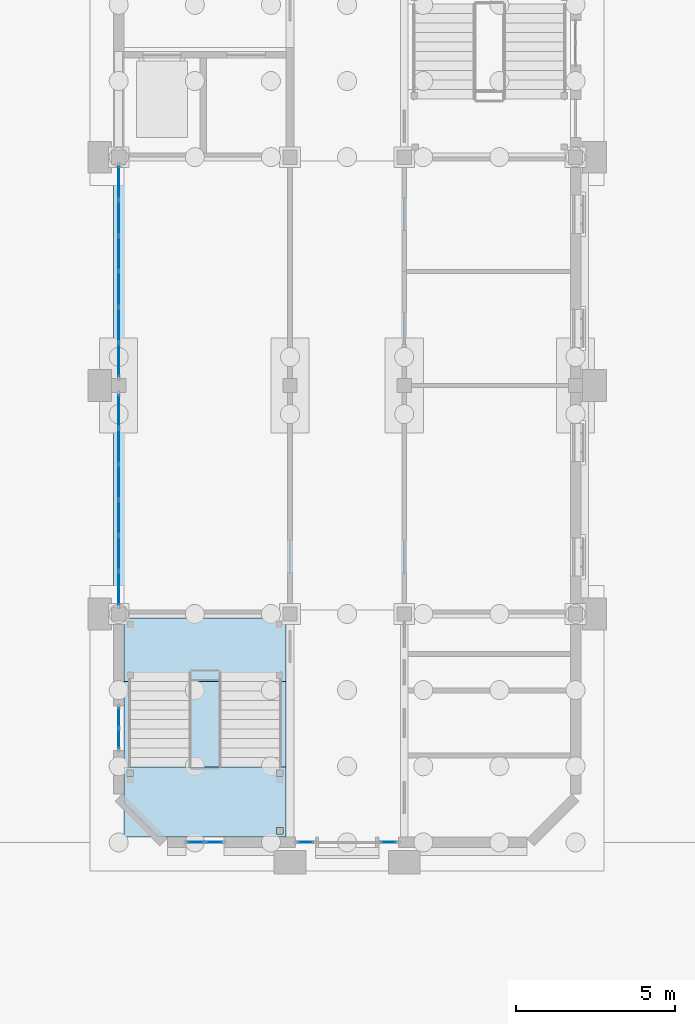
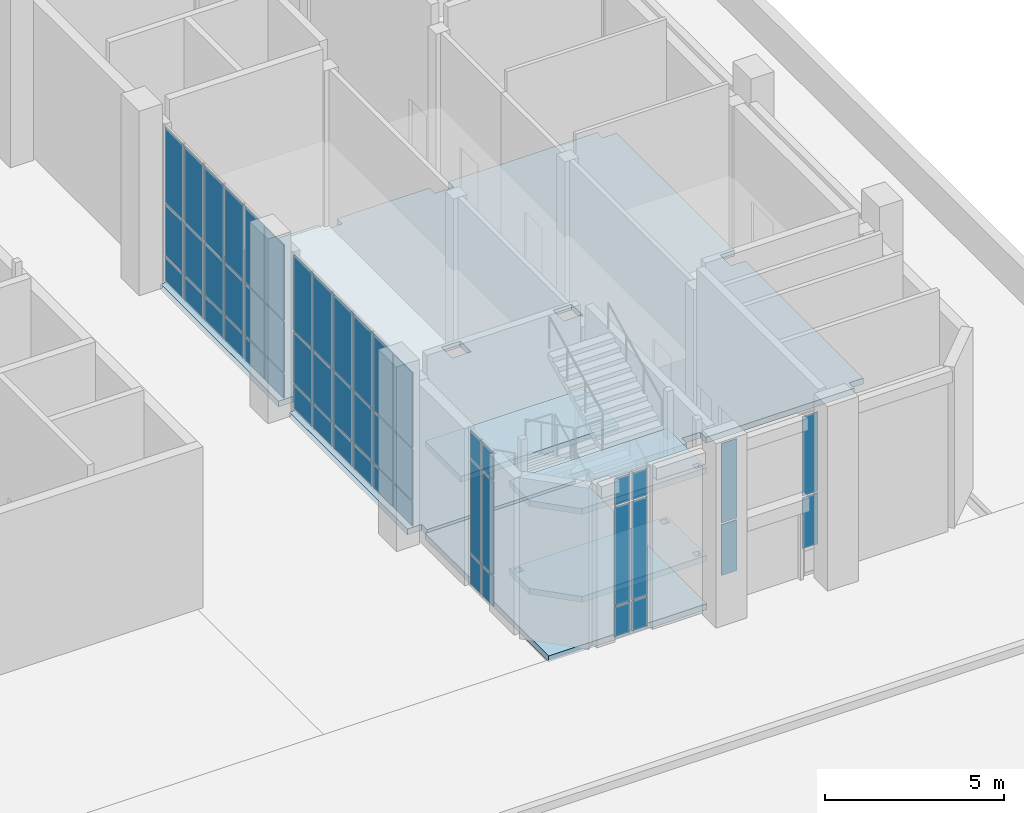
# One storey, part 27 of 84: 52 plates, 5 slabs, 7 elements without a shape of their own.
"""IFC4 building model written with IfcOpenShell, lengths in metres."""

from ifc_helpers import new_model, si_unit, direction, frame, origin, origin_2d, place, context, subcontext, project, spatial, polyline, rectangle, outline, extrude, material, layer, layer_set, type_object, element, aggregate, save


model = new_model("IFC4")

# Units and contexts
model_context = context("Model", 3, precision=1e-05, world=origin(), true_north=direction((0.0, 1.0)))
body_context = subcontext(model_context, "Body", "Model", "MODEL_VIEW")
ifc_project = project(units=[si_unit("LENGTHUNIT", "METRE"), si_unit("AREAUNIT", "SQUARE_METRE"), si_unit("VOLUMEUNIT", "CUBIC_METRE"), si_unit("PLANEANGLEUNIT", "RADIAN"), si_unit("MASSUNIT", "GRAM", prefix="KILO")], contexts=[model_context])

# Site, building, storey
site_placement = place(None, origin())
site = spatial("IfcSite", under=ifc_project, at=site_placement, CompositionType="ELEMENT")
building_placement = place(site_placement, origin())
building = spatial("IfcBuilding", under=site, at=building_placement, Name="Mazhai Court Health Centre", CompositionType="ELEMENT")
storey_placement = place(building_placement, origin())
storey = spatial("IfcBuildingStorey", under=building, at=storey_placement, Name="L00", CompositionType="ELEMENT", Elevation=0.0)

# Curtain wall, plates
ifc_material_1 = material(Name="Teak timber frame, glazed", Category="wood")
ifc_layer_1 = layer(ifc_material_1, 0.10009765625)
ifc_layer_set_1 = layer_set([ifc_layer_1], Name="CURTAIN WALL TIMBER 600")
curtain_wall_type_1 = type_object("IfcCurtainWallType", Name="CURTAIN WALL TIMBER 600", PredefinedType="NOTDEFINED", material=ifc_layer_set_1)
curtain_wall_1_placement = place(storey_placement, origin())
curtain_wall_1 = element("IfcCurtainWall", 1, at=curtain_wall_1_placement, inside=storey, type_object=curtain_wall_type_1, Name="CW-V6-L00-A0", PredefinedType="NOTDEFINED")
ifc_material_2 = material(Name="Glass IGU 28 mm", Category="glass")
ifc_layer_2 = layer(ifc_material_2, 0.028076171875)
ifc_layer_set_2 = layer_set([ifc_layer_2], Name="CW PANEL IGU 28")
plate_type = type_object("IfcPlateType", Name="CW PANEL IGU 28", PredefinedType="CURTAIN_PANEL", material=ifc_layer_set_2)
plate_1_placement = place(storey_placement, frame((135.800048828125, 9.465087890625, 0.06005859375), z_axis=(0.0, 0.0, 1.0), x_axis=(0.0, 1.0, 0.0)))
plate_1 = element("IfcPlate", 2, at=plate_1_placement, type_object=plate_type, Name="CW panel 1.1", PredefinedType="CURTAIN_PANEL", context=body_context, shape_type="SweptSolid", body=[
    extrude(rectangle(XDim=0.610107421875, YDim=0.028076171875, at=origin_2d()), origin(), (0.0, 0.0, 1.0), 1.010009765625),
])
plate_2_placement = place(storey_placement, frame((135.800048828125, 9.465087890625, 1.130126953125), z_axis=(0.0, 0.0, 1.0), x_axis=(0.0, 1.0, 0.0)))
plate_2 = element("IfcPlate", 3, at=plate_2_placement, type_object=plate_type, Name="CW panel 1.2", PredefinedType="CURTAIN_PANEL", context=body_context, shape_type="SweptSolid", body=[
    extrude(rectangle(XDim=0.610107421875, YDim=0.028076171875, at=origin_2d()), origin(), (0.0, 0.0, 1.0), 3.18994140625),
])
plate_3_placement = place(storey_placement, frame((135.800048828125, 9.465087890625, 4.3798828125), z_axis=(0.0, 0.0, 1.0), x_axis=(0.0, 1.0, 0.0)))
plate_3 = element("IfcPlate", 4, at=plate_3_placement, type_object=plate_type, Name="CW panel 1.3", PredefinedType="CURTAIN_PANEL", context=body_context, shape_type="SweptSolid", body=[
    extrude(rectangle(XDim=0.610107421875, YDim=0.028076171875, at=origin_2d()), origin(), (0.0, 0.0, 1.0), 0.909912109375),
])
plate_4_placement = place(storey_placement, frame((135.800048828125, 10.135009765625, 0.06005859375), z_axis=(0.0, 0.0, 1.0), x_axis=(0.0, 1.0, 0.0)))
plate_4 = element("IfcPlate", 5, at=plate_4_placement, type_object=plate_type, Name="CW panel 2.1", PredefinedType="CURTAIN_PANEL", context=body_context, shape_type="SweptSolid", body=[
    extrude(rectangle(XDim=0.610107421875, YDim=0.028076171875, at=origin_2d()), origin(), (0.0, 0.0, 1.0), 1.010009765625),
])
plate_5_placement = place(storey_placement, frame((135.800048828125, 10.135009765625, 1.130126953125), z_axis=(0.0, 0.0, 1.0), x_axis=(0.0, 1.0, 0.0)))
plate_5 = element("IfcPlate", 6, at=plate_5_placement, type_object=plate_type, Name="CW panel 2.2", PredefinedType="CURTAIN_PANEL", context=body_context, shape_type="SweptSolid", body=[
    extrude(rectangle(XDim=0.610107421875, YDim=0.028076171875, at=origin_2d()), origin(), (0.0, 0.0, 1.0), 3.18994140625),
])
plate_6_placement = place(storey_placement, frame((135.800048828125, 10.135009765625, 4.3798828125), z_axis=(0.0, 0.0, 1.0), x_axis=(0.0, 1.0, 0.0)))
plate_6 = element("IfcPlate", 7, at=plate_6_placement, type_object=plate_type, Name="CW panel 2.3", PredefinedType="CURTAIN_PANEL", context=body_context, shape_type="SweptSolid", body=[
    extrude(rectangle(XDim=0.610107421875, YDim=0.028076171875, at=origin_2d()), origin(), (0.0, 0.0, 1.0), 0.909912109375),
])
aggregate(curtain_wall_1, [plate_1, plate_2, plate_3, plate_4, plate_5, plate_6])

ifc_material_3 = material(Name="Teak timber frame, glazed", Category="wood")
ifc_layer_3 = layer(ifc_material_3, 0.10009765625)
ifc_layer_set_3 = layer_set([ifc_layer_3], Name="CURTAIN WALL TIMBER 1200")
curtain_wall_type_2 = type_object("IfcCurtainWallType", Name="CURTAIN WALL TIMBER 1200", PredefinedType="NOTDEFINED", material=ifc_layer_set_3)
curtain_wall_2_placement = place(storey_placement, origin())
curtain_wall_2 = element("IfcCurtainWall", 8, at=curtain_wall_2_placement, inside=storey, type_object=curtain_wall_type_2, Name="CW-V6-L00-A1", PredefinedType="NOTDEFINED")
plate_7_placement = place(storey_placement, frame((135.800048828125, 14.202392578125, 0.06005859375), z_axis=(0.0, 0.0, 1.0), x_axis=(0.0, 1.0, 0.0)))
plate_7 = element("IfcPlate", 9, at=plate_7_placement, type_object=plate_type, Name="CW panel 1.1", PredefinedType="CURTAIN_PANEL", context=body_context, shape_type="SweptSolid", body=[
    extrude(rectangle(XDim=1.034912109375, YDim=0.028076171875, at=origin_2d()), origin(), (0.0, 0.0, 1.0), 0.81005859375),
])
plate_8_placement = place(storey_placement, frame((135.800048828125, 14.202392578125, 0.93017578125), z_axis=(0.0, 0.0, 1.0), x_axis=(0.0, 1.0, 0.0)))
plate_8 = element("IfcPlate", 10, at=plate_8_placement, type_object=plate_type, Name="CW panel 1.2", PredefinedType="CURTAIN_PANEL", context=body_context, shape_type="SweptSolid", body=[
    extrude(rectangle(XDim=1.034912109375, YDim=0.028076171875, at=origin_2d()), origin(), (0.0, 0.0, 1.0), 1.739990234375),
])
plate_9_placement = place(storey_placement, frame((135.800048828125, 14.202392578125, 2.72998046875), z_axis=(0.0, 0.0, 1.0), x_axis=(0.0, 1.0, 0.0)))
plate_9 = element("IfcPlate", 11, at=plate_9_placement, type_object=plate_type, Name="CW panel 1.3", PredefinedType="CURTAIN_PANEL", context=body_context, shape_type="SweptSolid", body=[
    extrude(rectangle(XDim=1.034912109375, YDim=0.028076171875, at=origin_2d()), origin(), (0.0, 0.0, 1.0), 2.56005859375),
])
plate_10_placement = place(storey_placement, frame((135.800048828125, 15.3125, 0.06005859375), z_axis=(0.0, 0.0, 1.0), x_axis=(0.0, 1.0, 0.0)))
plate_10 = element("IfcPlate", 12, at=plate_10_placement, type_object=plate_type, Name="CW panel 2.1", PredefinedType="CURTAIN_PANEL", context=body_context, shape_type="SweptSolid", body=[
    extrude(rectangle(XDim=1.06494140625, YDim=0.028076171875, at=origin_2d()), origin(), (0.0, 0.0, 1.0), 0.81005859375),
])
plate_11_placement = place(storey_placement, frame((135.800048828125, 15.3125, 0.93017578125), z_axis=(0.0, 0.0, 1.0), x_axis=(0.0, 1.0, 0.0)))
plate_11 = element("IfcPlate", 13, at=plate_11_placement, type_object=plate_type, Name="CW panel 2.2", PredefinedType="CURTAIN_PANEL", context=body_context, shape_type="SweptSolid", body=[
    extrude(rectangle(XDim=1.06494140625, YDim=0.028076171875, at=origin_2d()), origin(), (0.0, 0.0, 1.0), 1.739990234375),
])
plate_12_placement = place(storey_placement, frame((135.800048828125, 15.3125, 2.72998046875), z_axis=(0.0, 0.0, 1.0), x_axis=(0.0, 1.0, 0.0)))
plate_12 = element("IfcPlate", 14, at=plate_12_placement, type_object=plate_type, Name="CW panel 2.3", PredefinedType="CURTAIN_PANEL", context=body_context, shape_type="SweptSolid", body=[
    extrude(rectangle(XDim=1.06494140625, YDim=0.028076171875, at=origin_2d()), origin(), (0.0, 0.0, 1.0), 2.56005859375),
])
plate_13_placement = place(storey_placement, frame((135.800048828125, 16.4375, 0.06005859375), z_axis=(0.0, 0.0, 1.0), x_axis=(0.0, 1.0, 0.0)))
plate_13 = element("IfcPlate", 15, at=plate_13_placement, type_object=plate_type, Name="CW panel 3.1", PredefinedType="CURTAIN_PANEL", context=body_context, shape_type="SweptSolid", body=[
    extrude(rectangle(XDim=1.06494140625, YDim=0.028076171875, at=origin_2d()), origin(), (0.0, 0.0, 1.0), 0.81005859375),
])
plate_14_placement = place(storey_placement, frame((135.800048828125, 16.4375, 0.93017578125), z_axis=(0.0, 0.0, 1.0), x_axis=(0.0, 1.0, 0.0)))
plate_14 = element("IfcPlate", 16, at=plate_14_placement, type_object=plate_type, Name="CW panel 3.2", PredefinedType="CURTAIN_PANEL", context=body_context, shape_type="SweptSolid", body=[
    extrude(rectangle(XDim=1.06494140625, YDim=0.028076171875, at=origin_2d()), origin(), (0.0, 0.0, 1.0), 1.739990234375),
])
plate_15_placement = place(storey_placement, frame((135.800048828125, 16.4375, 2.72998046875), z_axis=(0.0, 0.0, 1.0), x_axis=(0.0, 1.0, 0.0)))
plate_15 = element("IfcPlate", 17, at=plate_15_placement, type_object=plate_type, Name="CW panel 3.3", PredefinedType="CURTAIN_PANEL", context=body_context, shape_type="SweptSolid", body=[
    extrude(rectangle(XDim=1.06494140625, YDim=0.028076171875, at=origin_2d()), origin(), (0.0, 0.0, 1.0), 2.56005859375),
])
plate_16_placement = place(storey_placement, frame((135.800048828125, 17.5625, 0.06005859375), z_axis=(0.0, 0.0, 1.0), x_axis=(0.0, 1.0, 0.0)))
plate_16 = element("IfcPlate", 18, at=plate_16_placement, type_object=plate_type, Name="CW panel 4.1", PredefinedType="CURTAIN_PANEL", context=body_context, shape_type="SweptSolid", body=[
    extrude(rectangle(XDim=1.06494140625, YDim=0.028076171875, at=origin_2d()), origin(), (0.0, 0.0, 1.0), 0.81005859375),
])
plate_17_placement = place(storey_placement, frame((135.800048828125, 17.5625, 0.93017578125), z_axis=(0.0, 0.0, 1.0), x_axis=(0.0, 1.0, 0.0)))
plate_17 = element("IfcPlate", 19, at=plate_17_placement, type_object=plate_type, Name="CW panel 4.2", PredefinedType="CURTAIN_PANEL", context=body_context, shape_type="SweptSolid", body=[
    extrude(rectangle(XDim=1.06494140625, YDim=0.028076171875, at=origin_2d()), origin(), (0.0, 0.0, 1.0), 1.739990234375),
])
plate_18_placement = place(storey_placement, frame((135.800048828125, 17.5625, 2.72998046875), z_axis=(0.0, 0.0, 1.0), x_axis=(0.0, 1.0, 0.0)))
plate_18 = element("IfcPlate", 20, at=plate_18_placement, type_object=plate_type, Name="CW panel 4.3", PredefinedType="CURTAIN_PANEL", context=body_context, shape_type="SweptSolid", body=[
    extrude(rectangle(XDim=1.06494140625, YDim=0.028076171875, at=origin_2d()), origin(), (0.0, 0.0, 1.0), 2.56005859375),
])
plate_19_placement = place(storey_placement, frame((135.800048828125, 18.6875, 0.06005859375), z_axis=(0.0, 0.0, 1.0), x_axis=(0.0, 1.0, 0.0)))
plate_19 = element("IfcPlate", 21, at=plate_19_placement, type_object=plate_type, Name="CW panel 5.1", PredefinedType="CURTAIN_PANEL", context=body_context, shape_type="SweptSolid", body=[
    extrude(rectangle(XDim=1.06494140625, YDim=0.028076171875, at=origin_2d()), origin(), (0.0, 0.0, 1.0), 0.81005859375),
])
plate_20_placement = place(storey_placement, frame((135.800048828125, 18.6875, 0.93017578125), z_axis=(0.0, 0.0, 1.0), x_axis=(0.0, 1.0, 0.0)))
plate_20 = element("IfcPlate", 22, at=plate_20_placement, type_object=plate_type, Name="CW panel 5.2", PredefinedType="CURTAIN_PANEL", context=body_context, shape_type="SweptSolid", body=[
    extrude(rectangle(XDim=1.06494140625, YDim=0.028076171875, at=origin_2d()), origin(), (0.0, 0.0, 1.0), 1.739990234375),
])
plate_21_placement = place(storey_placement, frame((135.800048828125, 18.6875, 2.72998046875), z_axis=(0.0, 0.0, 1.0), x_axis=(0.0, 1.0, 0.0)))
plate_21 = element("IfcPlate", 23, at=plate_21_placement, type_object=plate_type, Name="CW panel 5.3", PredefinedType="CURTAIN_PANEL", context=body_context, shape_type="SweptSolid", body=[
    extrude(rectangle(XDim=1.06494140625, YDim=0.028076171875, at=origin_2d()), origin(), (0.0, 0.0, 1.0), 2.56005859375),
])
plate_22_placement = place(storey_placement, frame((135.800048828125, 19.797607421875, 0.06005859375), z_axis=(0.0, 0.0, 1.0), x_axis=(0.0, 1.0, 0.0)))
plate_22 = element("IfcPlate", 24, at=plate_22_placement, type_object=plate_type, Name="CW panel 6.1", PredefinedType="CURTAIN_PANEL", context=body_context, shape_type="SweptSolid", body=[
    extrude(rectangle(XDim=1.034912109375, YDim=0.028076171875, at=origin_2d()), origin(), (0.0, 0.0, 1.0), 0.81005859375),
])
plate_23_placement = place(storey_placement, frame((135.800048828125, 19.797607421875, 0.93017578125), z_axis=(0.0, 0.0, 1.0), x_axis=(0.0, 1.0, 0.0)))
plate_23 = element("IfcPlate", 25, at=plate_23_placement, type_object=plate_type, Name="CW panel 6.2", PredefinedType="CURTAIN_PANEL", context=body_context, shape_type="SweptSolid", body=[
    extrude(rectangle(XDim=1.034912109375, YDim=0.028076171875, at=origin_2d()), origin(), (0.0, 0.0, 1.0), 1.739990234375),
])
plate_24_placement = place(storey_placement, frame((135.800048828125, 19.797607421875, 2.72998046875), z_axis=(0.0, 0.0, 1.0), x_axis=(0.0, 1.0, 0.0)))
plate_24 = element("IfcPlate", 26, at=plate_24_placement, type_object=plate_type, Name="CW panel 6.3", PredefinedType="CURTAIN_PANEL", context=body_context, shape_type="SweptSolid", body=[
    extrude(rectangle(XDim=1.034912109375, YDim=0.028076171875, at=origin_2d()), origin(), (0.0, 0.0, 1.0), 2.56005859375),
])
aggregate(curtain_wall_2, [plate_7, plate_8, plate_9, plate_10, plate_11, plate_12, plate_13, plate_14, plate_15, plate_16, plate_17, plate_18, plate_19, plate_20, plate_21, plate_22, plate_23, plate_24])

curtain_wall_3_placement = place(storey_placement, origin())
curtain_wall_3 = element("IfcCurtainWall", 27, at=curtain_wall_3_placement, inside=storey, type_object=curtain_wall_type_2, Name="CW-V6-L00-A2", PredefinedType="NOTDEFINED")
plate_25_placement = place(storey_placement, frame((135.800048828125, 21.402587890625, 0.06005859375), z_axis=(0.0, 0.0, 1.0), x_axis=(0.0, 1.0, 0.0)))
plate_25 = element("IfcPlate", 28, at=plate_25_placement, type_object=plate_type, Name="CW panel 1.1", PredefinedType="CURTAIN_PANEL", context=body_context, shape_type="SweptSolid", body=[
    extrude(rectangle(XDim=1.034912109375, YDim=0.028076171875, at=origin_2d()), origin(), (0.0, 0.0, 1.0), 0.81005859375),
])
plate_26_placement = place(storey_placement, frame((135.800048828125, 21.402587890625, 0.93017578125), z_axis=(0.0, 0.0, 1.0), x_axis=(0.0, 1.0, 0.0)))
plate_26 = element("IfcPlate", 29, at=plate_26_placement, type_object=plate_type, Name="CW panel 1.2", PredefinedType="CURTAIN_PANEL", context=body_context, shape_type="SweptSolid", body=[
    extrude(rectangle(XDim=1.034912109375, YDim=0.028076171875, at=origin_2d()), origin(), (0.0, 0.0, 1.0), 1.739990234375),
])
plate_27_placement = place(storey_placement, frame((135.800048828125, 21.402587890625, 2.72998046875), z_axis=(0.0, 0.0, 1.0), x_axis=(0.0, 1.0, 0.0)))
plate_27 = element("IfcPlate", 30, at=plate_27_placement, type_object=plate_type, Name="CW panel 1.3", PredefinedType="CURTAIN_PANEL", context=body_context, shape_type="SweptSolid", body=[
    extrude(rectangle(XDim=1.034912109375, YDim=0.028076171875, at=origin_2d()), origin(), (0.0, 0.0, 1.0), 2.56005859375),
])
plate_28_placement = place(storey_placement, frame((135.800048828125, 22.512451171875, 0.06005859375), z_axis=(0.0, 0.0, 1.0), x_axis=(0.0, 1.0, 0.0)))
plate_28 = element("IfcPlate", 31, at=plate_28_placement, type_object=plate_type, Name="CW panel 2.1", PredefinedType="CURTAIN_PANEL", context=body_context, shape_type="SweptSolid", body=[
    extrude(rectangle(XDim=1.06494140625, YDim=0.028076171875, at=origin_2d()), origin(), (0.0, 0.0, 1.0), 0.81005859375),
])
plate_29_placement = place(storey_placement, frame((135.800048828125, 22.512451171875, 0.93017578125), z_axis=(0.0, 0.0, 1.0), x_axis=(0.0, 1.0, 0.0)))
plate_29 = element("IfcPlate", 32, at=plate_29_placement, type_object=plate_type, Name="CW panel 2.2", PredefinedType="CURTAIN_PANEL", context=body_context, shape_type="SweptSolid", body=[
    extrude(rectangle(XDim=1.06494140625, YDim=0.028076171875, at=origin_2d()), origin(), (0.0, 0.0, 1.0), 1.739990234375),
])
plate_30_placement = place(storey_placement, frame((135.800048828125, 22.512451171875, 2.72998046875), z_axis=(0.0, 0.0, 1.0), x_axis=(0.0, 1.0, 0.0)))
plate_30 = element("IfcPlate", 33, at=plate_30_placement, type_object=plate_type, Name="CW panel 2.3", PredefinedType="CURTAIN_PANEL", context=body_context, shape_type="SweptSolid", body=[
    extrude(rectangle(XDim=1.06494140625, YDim=0.028076171875, at=origin_2d()), origin(), (0.0, 0.0, 1.0), 2.56005859375),
])
plate_31_placement = place(storey_placement, frame((135.800048828125, 23.637451171875, 0.06005859375), z_axis=(0.0, 0.0, 1.0), x_axis=(0.0, 1.0, 0.0)))
plate_31 = element("IfcPlate", 34, at=plate_31_placement, type_object=plate_type, Name="CW panel 3.1", PredefinedType="CURTAIN_PANEL", context=body_context, shape_type="SweptSolid", body=[
    extrude(rectangle(XDim=1.06494140625, YDim=0.028076171875, at=origin_2d()), origin(), (0.0, 0.0, 1.0), 0.81005859375),
])
plate_32_placement = place(storey_placement, frame((135.800048828125, 23.637451171875, 0.93017578125), z_axis=(0.0, 0.0, 1.0), x_axis=(0.0, 1.0, 0.0)))
plate_32 = element("IfcPlate", 35, at=plate_32_placement, type_object=plate_type, Name="CW panel 3.2", PredefinedType="CURTAIN_PANEL", context=body_context, shape_type="SweptSolid", body=[
    extrude(rectangle(XDim=1.06494140625, YDim=0.028076171875, at=origin_2d()), origin(), (0.0, 0.0, 1.0), 1.739990234375),
])
plate_33_placement = place(storey_placement, frame((135.800048828125, 23.637451171875, 2.72998046875), z_axis=(0.0, 0.0, 1.0), x_axis=(0.0, 1.0, 0.0)))
plate_33 = element("IfcPlate", 36, at=plate_33_placement, type_object=plate_type, Name="CW panel 3.3", PredefinedType="CURTAIN_PANEL", context=body_context, shape_type="SweptSolid", body=[
    extrude(rectangle(XDim=1.06494140625, YDim=0.028076171875, at=origin_2d()), origin(), (0.0, 0.0, 1.0), 2.56005859375),
])
plate_34_placement = place(storey_placement, frame((135.800048828125, 24.762451171875, 0.06005859375), z_axis=(0.0, 0.0, 1.0), x_axis=(0.0, 1.0, 0.0)))
plate_34 = element("IfcPlate", 37, at=plate_34_placement, type_object=plate_type, Name="CW panel 4.1", PredefinedType="CURTAIN_PANEL", context=body_context, shape_type="SweptSolid", body=[
    extrude(rectangle(XDim=1.06494140625, YDim=0.028076171875, at=origin_2d()), origin(), (0.0, 0.0, 1.0), 0.81005859375),
])
plate_35_placement = place(storey_placement, frame((135.800048828125, 24.762451171875, 0.93017578125), z_axis=(0.0, 0.0, 1.0), x_axis=(0.0, 1.0, 0.0)))
plate_35 = element("IfcPlate", 38, at=plate_35_placement, type_object=plate_type, Name="CW panel 4.2", PredefinedType="CURTAIN_PANEL", context=body_context, shape_type="SweptSolid", body=[
    extrude(rectangle(XDim=1.06494140625, YDim=0.028076171875, at=origin_2d()), origin(), (0.0, 0.0, 1.0), 1.739990234375),
])
plate_36_placement = place(storey_placement, frame((135.800048828125, 24.762451171875, 2.72998046875), z_axis=(0.0, 0.0, 1.0), x_axis=(0.0, 1.0, 0.0)))
plate_36 = element("IfcPlate", 39, at=plate_36_placement, type_object=plate_type, Name="CW panel 4.3", PredefinedType="CURTAIN_PANEL", context=body_context, shape_type="SweptSolid", body=[
    extrude(rectangle(XDim=1.06494140625, YDim=0.028076171875, at=origin_2d()), origin(), (0.0, 0.0, 1.0), 2.56005859375),
])
plate_37_placement = place(storey_placement, frame((135.800048828125, 25.887451171875, 0.06005859375), z_axis=(0.0, 0.0, 1.0), x_axis=(0.0, 1.0, 0.0)))
plate_37 = element("IfcPlate", 40, at=plate_37_placement, type_object=plate_type, Name="CW panel 5.1", PredefinedType="CURTAIN_PANEL", context=body_context, shape_type="SweptSolid", body=[
    extrude(rectangle(XDim=1.06494140625, YDim=0.028076171875, at=origin_2d()), origin(), (0.0, 0.0, 1.0), 0.81005859375),
])
plate_38_placement = place(storey_placement, frame((135.800048828125, 25.887451171875, 0.93017578125), z_axis=(0.0, 0.0, 1.0), x_axis=(0.0, 1.0, 0.0)))
plate_38 = element("IfcPlate", 41, at=plate_38_placement, type_object=plate_type, Name="CW panel 5.2", PredefinedType="CURTAIN_PANEL", context=body_context, shape_type="SweptSolid", body=[
    extrude(rectangle(XDim=1.06494140625, YDim=0.028076171875, at=origin_2d()), origin(), (0.0, 0.0, 1.0), 1.739990234375),
])
plate_39_placement = place(storey_placement, frame((135.800048828125, 25.887451171875, 2.72998046875), z_axis=(0.0, 0.0, 1.0), x_axis=(0.0, 1.0, 0.0)))
plate_39 = element("IfcPlate", 42, at=plate_39_placement, type_object=plate_type, Name="CW panel 5.3", PredefinedType="CURTAIN_PANEL", context=body_context, shape_type="SweptSolid", body=[
    extrude(rectangle(XDim=1.06494140625, YDim=0.028076171875, at=origin_2d()), origin(), (0.0, 0.0, 1.0), 2.56005859375),
])
plate_40_placement = place(storey_placement, frame((135.800048828125, 26.99755859375, 0.06005859375), z_axis=(0.0, 0.0, 1.0), x_axis=(0.0, 1.0, 0.0)))
plate_40 = element("IfcPlate", 43, at=plate_40_placement, type_object=plate_type, Name="CW panel 6.1", PredefinedType="CURTAIN_PANEL", context=body_context, shape_type="SweptSolid", body=[
    extrude(rectangle(XDim=1.034912109375, YDim=0.028076171875, at=origin_2d()), origin(), (0.0, 0.0, 1.0), 0.81005859375),
])
plate_41_placement = place(storey_placement, frame((135.800048828125, 26.99755859375, 0.93017578125), z_axis=(0.0, 0.0, 1.0), x_axis=(0.0, 1.0, 0.0)))
plate_41 = element("IfcPlate", 44, at=plate_41_placement, type_object=plate_type, Name="CW panel 6.2", PredefinedType="CURTAIN_PANEL", context=body_context, shape_type="SweptSolid", body=[
    extrude(rectangle(XDim=1.034912109375, YDim=0.028076171875, at=origin_2d()), origin(), (0.0, 0.0, 1.0), 1.739990234375),
])
plate_42_placement = place(storey_placement, frame((135.800048828125, 26.99755859375, 2.72998046875), z_axis=(0.0, 0.0, 1.0), x_axis=(0.0, 1.0, 0.0)))
plate_42 = element("IfcPlate", 45, at=plate_42_placement, type_object=plate_type, Name="CW panel 6.3", PredefinedType="CURTAIN_PANEL", context=body_context, shape_type="SweptSolid", body=[
    extrude(rectangle(XDim=1.034912109375, YDim=0.028076171875, at=origin_2d()), origin(), (0.0, 0.0, 1.0), 2.56005859375),
])
aggregate(curtain_wall_3, [plate_25, plate_26, plate_27, plate_28, plate_29, plate_30, plate_31, plate_32, plate_33, plate_34, plate_35, plate_36, plate_37, plate_38, plate_39, plate_40, plate_41, plate_42])

curtain_wall_4_placement = place(storey_placement, origin())
curtain_wall_4 = element("IfcCurtainWall", 46, at=curtain_wall_4_placement, inside=storey, type_object=curtain_wall_type_1, Name="CW-V6-L00-SSTAIR0", PredefinedType="NOTDEFINED")
plate_43_placement = place(storey_placement, frame((138.804931640625, 6.199951171875, 0.06005859375), z_axis=(0.0, 0.0, 1.0), x_axis=(-1.0, 0.0, 0.0)))
plate_43 = element("IfcPlate", 47, at=plate_43_placement, type_object=plate_type, Name="CW panel 1.1", PredefinedType="CURTAIN_PANEL", context=body_context, shape_type="SweptSolid", body=[
    extrude(rectangle(XDim=0.510009765625, YDim=0.028076171875, at=origin_2d()), origin(), (0.0, 0.0, 1.0), 1.010009765625),
])
plate_44_placement = place(storey_placement, frame((138.804931640625, 6.199951171875, 1.1298828125), z_axis=(0.0, 0.0, 1.0), x_axis=(-1.0, 0.0, 0.0)))
plate_44 = element("IfcPlate", 48, at=plate_44_placement, type_object=plate_type, Name="CW panel 1.2", PredefinedType="CURTAIN_PANEL", context=body_context, shape_type="SweptSolid", body=[
    extrude(rectangle(XDim=0.510009765625, YDim=0.028076171875, at=origin_2d()), origin(), (0.0, 0.0, 1.0), 3.340087890625),
])
plate_45_placement = place(storey_placement, frame((138.804931640625, 6.199951171875, 4.5302734375), z_axis=(0.0, 0.0, 1.0), x_axis=(-1.0, 0.0, 0.0)))
plate_45 = element("IfcPlate", 49, at=plate_45_placement, type_object=plate_type, Name="CW panel 1.3", PredefinedType="CURTAIN_PANEL", context=body_context, shape_type="SweptSolid", body=[
    extrude(rectangle(XDim=0.510009765625, YDim=0.028076171875, at=origin_2d()), origin(), (0.0, 0.0, 1.0), 0.909912109375),
])
plate_46_placement = place(storey_placement, frame((138.235107421875, 6.199951171875, 0.06005859375), z_axis=(0.0, 0.0, 1.0), x_axis=(-1.0, 0.0, 0.0)))
plate_46 = element("IfcPlate", 50, at=plate_46_placement, type_object=plate_type, Name="CW panel 2.1", PredefinedType="CURTAIN_PANEL", context=body_context, shape_type="SweptSolid", body=[
    extrude(rectangle(XDim=0.510009765625, YDim=0.028076171875, at=origin_2d()), origin(), (0.0, 0.0, 1.0), 1.010009765625),
])
plate_47_placement = place(storey_placement, frame((138.235107421875, 6.199951171875, 1.1298828125), z_axis=(0.0, 0.0, 1.0), x_axis=(-1.0, 0.0, 0.0)))
plate_47 = element("IfcPlate", 51, at=plate_47_placement, type_object=plate_type, Name="CW panel 2.2", PredefinedType="CURTAIN_PANEL", context=body_context, shape_type="SweptSolid", body=[
    extrude(rectangle(XDim=0.510009765625, YDim=0.028076171875, at=origin_2d()), origin(), (0.0, 0.0, 1.0), 3.340087890625),
])
plate_48_placement = place(storey_placement, frame((138.235107421875, 6.199951171875, 4.5302734375), z_axis=(0.0, 0.0, 1.0), x_axis=(-1.0, 0.0, 0.0)))
plate_48 = element("IfcPlate", 52, at=plate_48_placement, type_object=plate_type, Name="CW panel 2.3", PredefinedType="CURTAIN_PANEL", context=body_context, shape_type="SweptSolid", body=[
    extrude(rectangle(XDim=0.510009765625, YDim=0.028076171875, at=origin_2d()), origin(), (0.0, 0.0, 1.0), 0.909912109375),
])
aggregate(curtain_wall_4, [plate_43, plate_44, plate_45, plate_46, plate_47, plate_48])

ifc_material_4 = material(Name="Teak timber frame, glazed", Category="wood")
ifc_layer_4 = layer(ifc_material_4, 0.10009765625)
ifc_layer_set_4 = layer_set([ifc_layer_4], Name="CURTAIN WALL TIMBER 620")
curtain_wall_type_3 = type_object("IfcCurtainWallType", Name="CURTAIN WALL TIMBER 620", PredefinedType="NOTDEFINED", material=ifc_layer_set_4)
curtain_wall_5_placement = place(storey_placement, origin())
curtain_wall_5 = element("IfcCurtainWall", 53, at=curtain_wall_5_placement, inside=storey, type_object=curtain_wall_type_3, Name="CW-V6-L00-SSL1", PredefinedType="NOTDEFINED")
plate_49_placement = place(storey_placement, frame((141.68994140625, 6.199951171875, 0.93017578125), z_axis=(0.0, 0.0, 1.0), x_axis=(-1.0, 0.0, 0.0)))
plate_49 = element("IfcPlate", 54, at=plate_49_placement, type_object=plate_type, Name="CW panel 1.2", PredefinedType="CURTAIN_PANEL", context=body_context, shape_type="SweptSolid", body=[
    extrude(rectangle(XDim=0.5, YDim=0.028076171875, at=origin_2d()), origin(), (0.0, 0.0, 1.0), 1.739990234375),
])
plate_50_placement = place(storey_placement, frame((141.68994140625, 6.199951171875, 2.72998046875), z_axis=(0.0, 0.0, 1.0), x_axis=(-1.0, 0.0, 0.0)))
plate_50 = element("IfcPlate", 55, at=plate_50_placement, type_object=plate_type, Name="CW panel 1.3", PredefinedType="CURTAIN_PANEL", context=body_context, shape_type="SweptSolid", body=[
    extrude(rectangle(XDim=0.5, YDim=0.028076171875, at=origin_2d()), origin(), (0.0, 0.0, 1.0), 2.7099609375),
])
aggregate(curtain_wall_5, [plate_49, plate_50])

curtain_wall_6_placement = place(storey_placement, origin())
curtain_wall_6 = element("IfcCurtainWall", 56, at=curtain_wall_6_placement, inside=storey, type_object=curtain_wall_type_3, Name="CW-V6-L00-SSL2", PredefinedType="NOTDEFINED")
plate_51_placement = place(storey_placement, frame((144.31005859375, 6.199951171875, 0.93017578125), z_axis=(0.0, 0.0, 1.0), x_axis=(-1.0, 0.0, 0.0)))
plate_51 = element("IfcPlate", 57, at=plate_51_placement, type_object=plate_type, Name="CW panel 1.2", PredefinedType="CURTAIN_PANEL", context=body_context, shape_type="SweptSolid", body=[
    extrude(rectangle(XDim=0.5, YDim=0.028076171875, at=origin_2d()), origin(), (0.0, 0.0, 1.0), 1.739990234375),
])
plate_52_placement = place(storey_placement, frame((144.31005859375, 6.199951171875, 2.72998046875), z_axis=(0.0, 0.0, 1.0), x_axis=(-1.0, 0.0, 0.0)))
plate_52 = element("IfcPlate", 58, at=plate_52_placement, type_object=plate_type, Name="CW panel 1.3", PredefinedType="CURTAIN_PANEL", context=body_context, shape_type="SweptSolid", body=[
    extrude(rectangle(XDim=0.5, YDim=0.028076171875, at=origin_2d()), origin(), (0.0, 0.0, 1.0), 2.7099609375),
])
aggregate(curtain_wall_6, [plate_51, plate_52])

# Slabs
ifc_material_5 = material(Name="Concrete M35", Category="concrete")
ifc_layer_5 = layer(ifc_material_5, 0.199951171875)
ifc_layer_set_5 = layer_set([ifc_layer_5], Name="GROUND SLAB 200 M35")
slab_type_1 = type_object("IfcSlabType", Name="GROUND SLAB 200 M35", PredefinedType="BASESLAB", material=ifc_layer_set_5)
slab_1_placement = place(storey_placement, frame((0.0, 0.0, -0.199951171875)))
element("IfcSlab", 59, at=slab_1_placement, inside=storey, type_object=slab_type_1, Name="slab-ground-V6-1", PredefinedType="BASESLAB", context=body_context, shape_type="SweptSolid", body=[
    extrude(outline(polyline([(150.364990234375, 13.699951171875), (149.89990234375, 13.699951171875), (149.89990234375, 13.39990234375), (145.10009765625, 13.39990234375), (145.10009765625, 13.699951171875), (144.5, 13.699951171875), (144.5, 13.39990234375), (141.5, 13.39990234375), (141.5, 13.699951171875), (140.89990234375, 13.699951171875), (140.89990234375, 13.39990234375), (136.10009765625, 13.39990234375), (136.10009765625, 13.699951171875), (135.635009765625, 13.699951171875), (135.635009765625, 20.300048828125), (136.10009765625, 20.300048828125), (136.10009765625, 20.89990234375), (135.635009765625, 20.89990234375), (135.635009765625, 27.5), (136.10009765625, 27.5), (136.10009765625, 27.800048828125), (140.89990234375, 27.800048828125), (140.89990234375, 27.5), (141.5, 27.5), (141.5, 27.800048828125), (144.5, 27.800048828125), (144.5, 27.5), (145.10009765625, 27.5), (145.10009765625, 27.800048828125), (149.89990234375, 27.800048828125), (149.89990234375, 27.5), (150.364990234375, 27.5), (150.364990234375, 20.89990234375), (149.89990234375, 20.89990234375), (149.89990234375, 20.300048828125), (150.364990234375, 20.300048828125), (150.364990234375, 13.699951171875)]), holes=[polyline([(144.5, 20.89990234375), (144.5, 20.300048828125), (145.10009765625, 20.300048828125), (145.10009765625, 20.89990234375), (144.5, 20.89990234375)]), polyline([(140.89990234375, 20.300048828125), (141.5, 20.300048828125), (141.5, 20.89990234375), (140.89990234375, 20.89990234375), (140.89990234375, 20.300048828125)])]), origin(), (0.0, 0.0, 1.0), 0.199951171875),
])
ifc_material_6 = material(Name="Concrete M40", Category="concrete")
ifc_layer_6 = layer(ifc_material_6, 0.199951171875)
ifc_layer_set_6 = layer_set([ifc_layer_6], Name="RC STAIR GROUND SLAB 200 M40")
slab_type_2 = type_object("IfcSlabType", Name="RC STAIR GROUND SLAB 200 M40", PredefinedType="BASESLAB", material=ifc_layer_set_6)
slab_2_placement = place(storey_placement, frame((0.0, 0.0, -0.199951171875)))
element("IfcSlab", 60, at=slab_2_placement, inside=storey, type_object=slab_type_2, Name="core-C8-stair-ground-slab", PredefinedType="BASESLAB", context=body_context, shape_type="SweptSolid", body=[
    extrude(outline(polyline([(135.965087890625, 6.364990234375), (141.074951171875, 6.364990234375), (141.074951171875, 13.27490234375), (135.965087890625, 13.27490234375), (135.965087890625, 6.364990234375)])), origin(), (0.0, 0.0, 1.0), 0.199951171875),
])

# Stair, slabs
ifc_material_7 = material(Name="Concrete M40", Category="concrete")
stair_type = type_object("IfcStairType", Name="RC STAIR 2000 42R", PredefinedType="DOUBLE_RETURN_STAIR", material=ifc_material_7)
stair_placement = place(storey_placement, origin())
stair = element("IfcStair", 61, at=stair_placement, inside=storey, type_object=stair_type, Name="L00 Stair 8", PredefinedType="DOUBLE_RETURN_STAIR")
ifc_material_8 = material(Name="Concrete M40", Category="concrete")
ifc_layer_7 = layer(ifc_material_8, 0.199951171875)
ifc_layer_set_7 = layer_set([ifc_layer_7], Name="RC STAIR LANDING 200 M40")
slab_type_3 = type_object("IfcSlabType", Name="RC STAIR LANDING 200 M40", PredefinedType="LANDING", material=ifc_layer_set_7)
slab_3_placement = place(storey_placement, frame((0.0, 0.0, 1.449951171875)))
slab_3 = element("IfcSlab", 62, at=slab_3_placement, type_object=slab_type_3, Name="ST8 landing 1", PredefinedType="LANDING", context=body_context, shape_type="SweptSolid", body=[
    extrude(outline(polyline([(141.074951171875, 8.574951171875), (141.074951171875, 6.364990234375), (137.04931640625, 6.364990234375), (135.965087890625, 7.44921875), (135.965087890625, 8.574951171875), (141.074951171875, 8.574951171875)]), holes=[polyline([(136.054931640625, 8.27490234375), (136.264892578125, 8.27490234375), (136.264892578125, 8.485107421875), (136.054931640625, 8.485107421875), (136.054931640625, 8.27490234375)]), polyline([(140.77490234375, 6.465087890625), (140.985107421875, 6.465087890625), (140.985107421875, 6.675048828125), (140.77490234375, 6.675048828125), (140.77490234375, 6.465087890625)]), polyline([(140.77490234375, 8.27490234375), (140.985107421875, 8.27490234375), (140.985107421875, 8.485107421875), (140.77490234375, 8.485107421875), (140.77490234375, 8.27490234375)])]), origin(), (0.0, 0.0, 1.0), 0.199951171875),
])
slab_4_placement = place(storey_placement, frame((0.0, 0.0, 2.949951171875)))
slab_4 = element("IfcSlab", 63, at=slab_4_placement, type_object=slab_type_3, Name="ST8 landing 2", PredefinedType="LANDING", context=body_context, shape_type="SweptSolid", body=[
    extrude(outline(polyline([(135.965087890625, 13.27490234375), (135.965087890625, 11.27490234375), (141.074951171875, 11.27490234375), (141.074951171875, 13.27490234375), (135.965087890625, 13.27490234375)])), origin(), (0.0, 0.0, 1.0), 0.199951171875),
])
slab_5_placement = place(storey_placement, frame((0.0, 0.0, 4.449951171875)))
slab_5 = element("IfcSlab", 64, at=slab_5_placement, type_object=slab_type_3, Name="ST8 landing 3", PredefinedType="LANDING", context=body_context, shape_type="SweptSolid", body=[
    extrude(outline(polyline([(141.074951171875, 8.574951171875), (141.074951171875, 6.364990234375), (137.04931640625, 6.364990234375), (135.965087890625, 7.44921875), (135.965087890625, 8.574951171875), (141.074951171875, 8.574951171875)]), holes=[polyline([(140.77490234375, 6.465087890625), (140.985107421875, 6.465087890625), (140.985107421875, 6.675048828125), (140.77490234375, 6.675048828125), (140.77490234375, 6.465087890625)])]), origin(), (0.0, 0.0, 1.0), 0.199951171875),
])
aggregate(stair, [slab_3, slab_4, slab_5])

save(model, "model.ifc")
